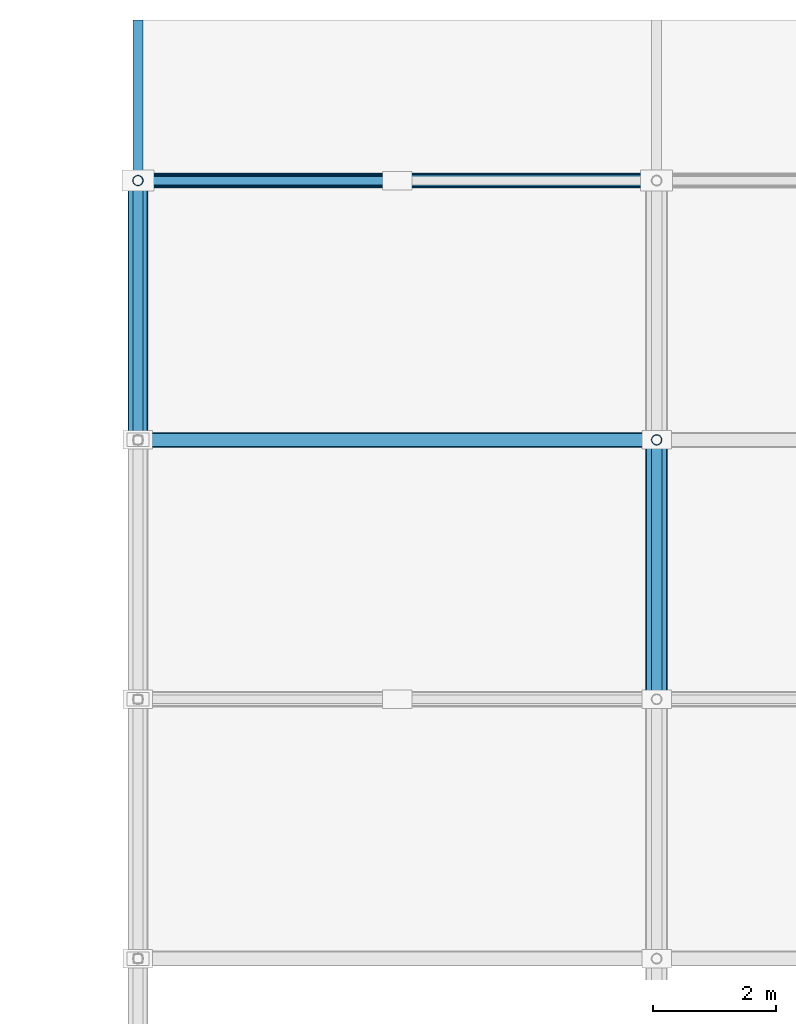
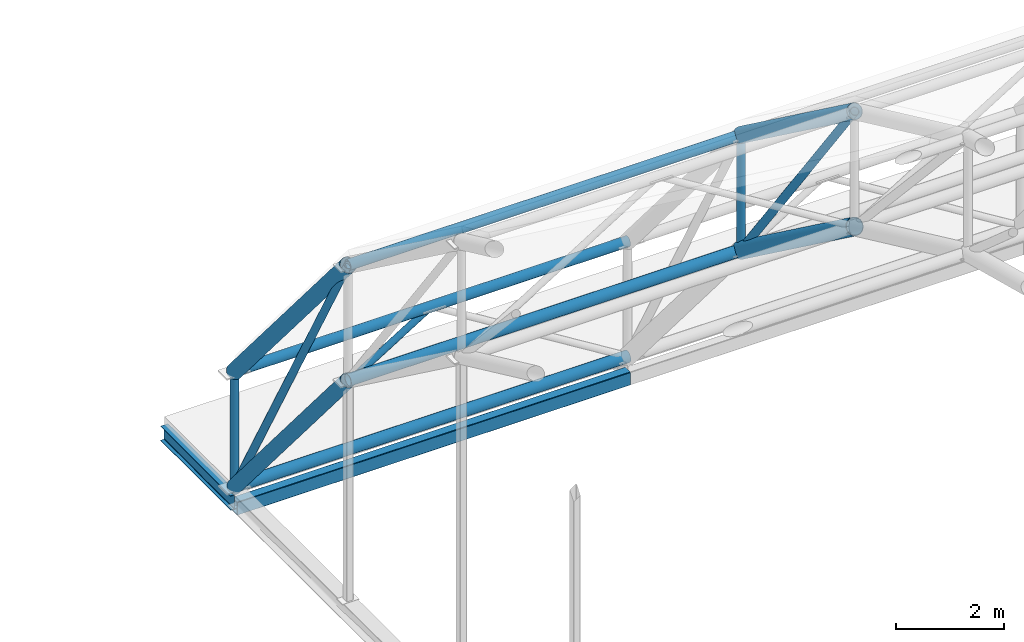
# One storey, part 18 of 103: 9 members, 6 beams.
"""IFC4 building model written with IfcOpenShell, lengths in metres."""

from ifc_helpers import new_model, si_unit, direction, frame, origin, origin_2d, place, context, subcontext, project, spatial, hollow_rectangle, hollow_circle, i_section, extrude, material, material_profile, profile_set, type_object, element, save


model = new_model("IFC4")

# Units and contexts
model_context = context("Model", 3, precision=1e-05, world=origin(), true_north=direction((0.0, 1.0)))
body_context = subcontext(model_context, "Body", "Model", "MODEL_VIEW")
ifc_project = project(units=[si_unit("LENGTHUNIT", "METRE"), si_unit("AREAUNIT", "SQUARE_METRE"), si_unit("VOLUMEUNIT", "CUBIC_METRE"), si_unit("PLANEANGLEUNIT", "RADIAN"), si_unit("MASSUNIT", "GRAM", prefix="KILO")], contexts=[model_context])

# Site, building, storey
site_placement = place(None, origin())
site = spatial("IfcSite", under=ifc_project, at=site_placement, CompositionType="ELEMENT")
building_placement = place(site_placement, origin())
building = spatial("IfcBuilding", under=site, at=building_placement, Name="Varnapada Polytechnic", CompositionType="ELEMENT")
storey_placement = place(building_placement, frame((0.0, 0.0, 18.0)))
storey = spatial("IfcBuildingStorey", under=building, at=storey_placement, Name="L04", CompositionType="ELEMENT", Elevation=18.0)

# Beams
ifc_material = material(Name="Steel S355", Category="steel")
ifc_material_profile_1 = material_profile(ifc_material, i_section(OverallWidth=0.159912109375, OverallDepth=0.330078125, WebThickness=0.007568359375, FlangeThickness=0.011474609375, FilletRadius=0.01806640625, at=origin_2d()), Name="IPE 330")
ifc_profile_set_1 = profile_set([ifc_material_profile_1], Name="Steel S355")
beam_type_1 = type_object("IfcBeamType", Name="Clerestory monitor steel rafter SB-07 (IPE 330)", PredefinedType="BEAM", material=ifc_profile_set_1)
beam_1_placement = place(storey_placement, frame((50.39990234375, 126.0, -0.35009765625), z_axis=(0.0, 1.0, 0.0), x_axis=(-1.0, 0.0, 0.0)))
element("IfcBeam", 1, at=beam_1_placement, inside=storey, type_object=beam_type_1, Name="Workshop eave shade outlooker N.1", PredefinedType="BEAM", context=body_context, shape_type="SweptSolid", body=[
    extrude(i_section(OverallWidth=0.159912109375, OverallDepth=0.330078125, WebThickness=0.007568359375, FlangeThickness=0.011474609375, FilletRadius=0.01806640625, at=origin_2d()), origin(), (0.0, 0.0, 1.0), 2.60009765625),
])
ifc_material_profile_2 = material_profile(ifc_material, hollow_circle(Radius=0.149169921875, WallThickness=0.010009765625, at=origin_2d()), Name="CHS 298.5x10.0")
ifc_profile_set_2 = profile_set([ifc_material_profile_2], Name="Steel S355")
beam_type_2 = type_object("IfcBeamType", Name="Space frame end-bay arch rib VA-04 (CHS 298.5x10.0)", PredefinedType="BEAM", material=ifc_profile_set_2)
beam_2_placement = place(storey_placement, frame((50.39990234375, 121.800048828125, 4.94921875), z_axis=(0.0, 0.647032448214, -0.762462465279), x_axis=(-1.0, 0.0, 0.0)))
element("IfcBeam", 2, at=beam_2_placement, inside=storey, type_object=beam_type_2, Name="Vaulted space frame bottom arch chord 1.10", PredefinedType="BEAM", context=body_context, shape_type="SweptSolid", body=[
    extrude(hollow_circle(Radius=0.149169921875, WallThickness=0.010009765625, at=origin_2d()), origin(), (0.0, 0.0, 1.0), 6.4912109375),
])

# Members
ifc_material_profile_3 = material_profile(ifc_material, hollow_circle(Radius=0.07958984375, WallThickness=0.00634765625, at=origin_2d()), Name="CHS 159.0x6.3")
ifc_profile_set_3 = profile_set([ifc_material_profile_3], Name="Steel S355")
member_type_1 = type_object("IfcMemberType", Name="Space frame perimeter web diagonal SFB-03 (CHS 159.0x6.3)", PredefinedType="BRACE", material=ifc_profile_set_3)
member_1_placement = place(storey_placement, frame((50.39990234375, 121.800048828125, 7.549072265625), z_axis=(0.0, 0.486175535898, -0.873861172209), x_axis=(-1.0, 0.0, 0.0)))
element("IfcMember", 3, at=member_1_placement, inside=storey, type_object=member_type_1, Name="Vaulted space frame web diagonal 1.10", PredefinedType="BRACE", context=body_context, shape_type="SweptSolid", body=[
    extrude(hollow_circle(Radius=0.07958984375, WallThickness=0.00634765625, at=origin_2d()), origin(), (0.0, 0.0, 1.0), 8.638671875),
])
ifc_material_profile_4 = material_profile(ifc_material, hollow_circle(Radius=0.122314453125, WallThickness=0.008056640625, at=origin_2d()), Name="CHS 244.5x8.0")
ifc_profile_set_4 = profile_set([ifc_material_profile_4], Name="Steel S355")
member_type_2 = type_object("IfcMemberType", Name="Vaulted space frame longitudinal bottom chord SFC-01 (CHS 244.5x8.0)", PredefinedType="CHORD", material=ifc_profile_set_4)
for number, where, z_axis, x_axis, name in (
    (4, (50.39990234375, 121.800048828125, 4.94921875), (1.0, 0.0, 0.0), (0.0, 1.0, 0.0), "Vaulted space frame longitudinal bottom chord 1.10"),
    (5, (50.39990234375, 126.0, 0.0), (1.0, 0.0, 0.0), (0.0, 1.0, 0.0), "Vaulted space frame longitudinal bottom chord 1.11"),
):
    element("IfcMember", number, at=place(storey_placement, frame(where, z_axis=z_axis, x_axis=x_axis)), inside=storey, type_object=member_type_2, Name=name, PredefinedType="CHORD", context=body_context, shape_type="SweptSolid", body=[
        extrude(hollow_circle(Radius=0.122314453125, WallThickness=0.008056640625, at=origin_2d()), origin(), (0.0, 0.0, 1.0), 8.400146484375),
    ])
ifc_material_profile_5 = material_profile(ifc_material, hollow_circle(Radius=0.109619140625, WallThickness=0.008056640625, at=origin_2d()), Name="CHS 219.1x8.0")
ifc_profile_set_5 = profile_set([ifc_material_profile_5], Name="Steel S355")
member_type_3 = type_object("IfcMemberType", Name="Vaulted space frame longitudinal top chord SFC-02 (CHS 219.1x8.0)", PredefinedType="CHORD", material=ifc_profile_set_5)
for number, where, z_axis, x_axis, name in (
    (6, (50.39990234375, 121.800048828125, 7.549072265625), (1.0, 0.0, 0.0), (0.0, 1.0, 0.0), "Vaulted space frame longitudinal top chord 1.10"),
    (7, (50.39990234375, 126.0, 2.60009765625), (1.0, 0.0, 0.0), (0.0, 1.0, 0.0), "Vaulted space frame longitudinal top chord 1.11"),
):
    element("IfcMember", number, at=place(storey_placement, frame(where, z_axis=z_axis, x_axis=x_axis)), inside=storey, type_object=member_type_3, Name=name, PredefinedType="CHORD", context=body_context, shape_type="SweptSolid", body=[
        extrude(hollow_circle(Radius=0.109619140625, WallThickness=0.008056640625, at=origin_2d()), origin(), (0.0, 0.0, 1.0), 8.400146484375),
    ])

# Beam
ifc_material_profile_6 = material_profile(ifc_material, hollow_circle(Radius=0.177734375, WallThickness=0.012451171875, at=origin_2d()), Name="CHS 355.6x12.5")
ifc_profile_set_6 = profile_set([ifc_material_profile_6], Name="Steel S355")
beam_type_3 = type_object("IfcBeamType", Name="Vaulted space frame primary arch rib VA-01 (CHS 355.6x12.5)", PredefinedType="BEAM", material=ifc_profile_set_6)
beam_3_placement = place(storey_placement, frame((58.800048828125, 117.60009765625, 8.02783203125), z_axis=(0.0, 0.806528689778, -0.591194953095), x_axis=(-1.0, 0.0, 0.0)))
element("IfcBeam", 8, at=beam_3_placement, inside=storey, type_object=beam_type_3, Name="Vaulted space frame bottom arch chord 2.9", PredefinedType="BEAM", context=body_context, shape_type="SweptSolid", body=[
    extrude(hollow_circle(Radius=0.177734375, WallThickness=0.012451171875, at=origin_2d()), origin(), (0.0, 0.0, 1.0), 5.20751953125),
])

# Members
ifc_material_profile_7 = material_profile(ifc_material, hollow_circle(Radius=0.084228515625, WallThickness=0.00634765625, at=origin_2d()), Name="CHS 168.3x6.3")
ifc_profile_set_7 = profile_set([ifc_material_profile_7], Name="Steel S355")
member_type_4 = type_object("IfcMemberType", Name="Vaulted space frame primary web diagonal SFB-01 (CHS 168.3x6.3)", PredefinedType="BRACE", material=ifc_profile_set_7)
member_2_placement = place(storey_placement, frame((58.800048828125, 117.60009765625, 10.6279296875), z_axis=(0.0, 0.594633036041, -0.803997234105), x_axis=(-1.0, 0.0, 0.0)))
element("IfcMember", 9, at=member_2_placement, inside=storey, type_object=member_type_4, Name="Vaulted space frame web diagonal 2.9", PredefinedType="BRACE", context=body_context, shape_type="SweptSolid", body=[
    extrude(hollow_circle(Radius=0.084228515625, WallThickness=0.00634765625, at=origin_2d()), origin(), (0.0, 0.0, 1.0), 7.06298828125),
])
ifc_material_profile_8 = material_profile(ifc_material, hollow_circle(Radius=0.084228515625, WallThickness=0.00634765625, at=origin_2d()), Name="CHS 168.3x6.3")
ifc_profile_set_8 = profile_set([ifc_material_profile_8], Name="Steel S355")
member_type_5 = type_object("IfcMemberType", Name="Vaulted space frame radial web strut SFS-01 (CHS 168.3x6.3)", PredefinedType="STRUT", material=ifc_profile_set_8)
member_3_placement = place(storey_placement, frame((50.39990234375, 126.0, 0.0), z_axis=(0.0, 0.0, 1.0), x_axis=(1.0, 0.0, 0.0)))
element("IfcMember", 10, at=member_3_placement, inside=storey, type_object=member_type_5, Name="Vaulted space frame strut 1.11", PredefinedType="STRUT", context=body_context, shape_type="SweptSolid", body=[
    extrude(hollow_circle(Radius=0.084228515625, WallThickness=0.00634765625, at=origin_2d()), origin(), (0.0, 0.0, 1.0), 2.60009765625),
])
member_4_placement = place(storey_placement, frame((58.800048828125, 121.800048828125, 4.94921875), z_axis=(0.0, 0.0, 1.0), x_axis=(1.0, 0.0, 0.0)))
element("IfcMember", 11, at=member_4_placement, inside=storey, type_object=member_type_5, Name="Vaulted space frame strut 2.10", PredefinedType="STRUT", context=body_context, shape_type="SweptSolid", body=[
    extrude(hollow_circle(Radius=0.084228515625, WallThickness=0.00634765625, at=origin_2d()), origin(), (0.0, 0.0, 1.0), 2.599853515625),
])
ifc_material_profile_9 = material_profile(ifc_material, hollow_circle(Radius=0.06982421875, WallThickness=0.0048828125, at=origin_2d()), Name="CHS 139.7x5.0")
ifc_profile_set_9 = profile_set([ifc_material_profile_9], Name="Steel S355")
member_type_6 = type_object("IfcMemberType", Name="Vaulted space frame secondary web diagonal SFB-02 (CHS 139.7x5.0)", PredefinedType="BRACE", material=ifc_profile_set_9)
member_5_placement = place(storey_placement, frame((50.39990234375, 126.0, 0.0), z_axis=(0.85026725322, 0.0, 0.526351211741), x_axis=(0.0, 1.0, 0.0)))
element("IfcMember", 12, at=member_5_placement, inside=storey, type_object=member_type_6, Name="Vaulted space frame longitudinal brace 1.11A", PredefinedType="BRACE", context=body_context, shape_type="SweptSolid", body=[
    extrude(hollow_circle(Radius=0.06982421875, WallThickness=0.0048828125, at=origin_2d()), origin(), (0.0, 0.0, 1.0), 4.93994140625),
])

# Beams
ifc_material_profile_10 = material_profile(ifc_material, hollow_circle(Radius=0.161865234375, WallThickness=0.010009765625, at=origin_2d()), Name="CHS 323.9x10.0")
ifc_profile_set_10 = profile_set([ifc_material_profile_10], Name="Steel S355")
beam_type_4 = type_object("IfcBeamType", Name="Vaulted space frame upper arch rib VA-02 (CHS 323.9x10.0)", PredefinedType="BEAM", material=ifc_profile_set_10)
beam_4_placement = place(storey_placement, frame((50.39990234375, 121.800048828125, 7.549072265625), z_axis=(0.0, 0.647051003787, -0.762446718465), x_axis=(-1.0, 0.0, 0.0)))
element("IfcBeam", 13, at=beam_4_placement, inside=storey, type_object=beam_type_4, Name="Vaulted space frame top arch chord 1.10", PredefinedType="BEAM", context=body_context, shape_type="SweptSolid", body=[
    extrude(hollow_circle(Radius=0.161865234375, WallThickness=0.010009765625, at=origin_2d()), origin(), (0.0, 0.0, 1.0), 6.490966796875),
])
beam_5_placement = place(storey_placement, frame((58.800048828125, 117.60009765625, 10.6279296875), z_axis=(0.0, 0.806506335259, -0.591225448698), x_axis=(-1.0, 0.0, 0.0)))
element("IfcBeam", 14, at=beam_5_placement, inside=storey, type_object=beam_type_4, Name="Vaulted space frame top arch chord 2.9", PredefinedType="BEAM", context=body_context, shape_type="SweptSolid", body=[
    extrude(hollow_circle(Radius=0.161865234375, WallThickness=0.010009765625, at=origin_2d()), origin(), (0.0, 0.0, 1.0), 5.20751953125),
])
ifc_material_profile_11 = material_profile(ifc_material, hollow_rectangle(XDim=0.199951171875, YDim=0.300048828125, WallThickness=0.010009765625, InnerFilletRadius=0.010009765625, OuterFilletRadius=0.02001953125, at=origin_2d()), Name="RHS 300x200x10")
ifc_profile_set_11 = profile_set([ifc_material_profile_11], Name="Steel S355")
beam_type_5 = type_object("IfcBeamType", Name="Workshop steel spandrel tie SP-03 (RHS 300x200x10)", PredefinedType="SPANDREL", material=ifc_profile_set_11)
beam_6_placement = place(storey_placement, frame((50.39990234375, 126.0, -0.449951171875), z_axis=(1.0, 0.0, 0.0), x_axis=(0.0, 1.0, 0.0)))
element("IfcBeam", 15, at=beam_6_placement, inside=storey, type_object=beam_type_5, Name="L04 workshop clerestory tie X7-8 Y16", PredefinedType="SPANDREL", context=body_context, shape_type="SweptSolid", body=[
    extrude(hollow_rectangle(XDim=0.199951171875, YDim=0.300048828125, WallThickness=0.010009765625, InnerFilletRadius=0.010009765625, OuterFilletRadius=0.02001953125, at=origin_2d()), origin(), (0.0, 0.0, 1.0), 8.400146484375),
])

save(model, "model.ifc")
